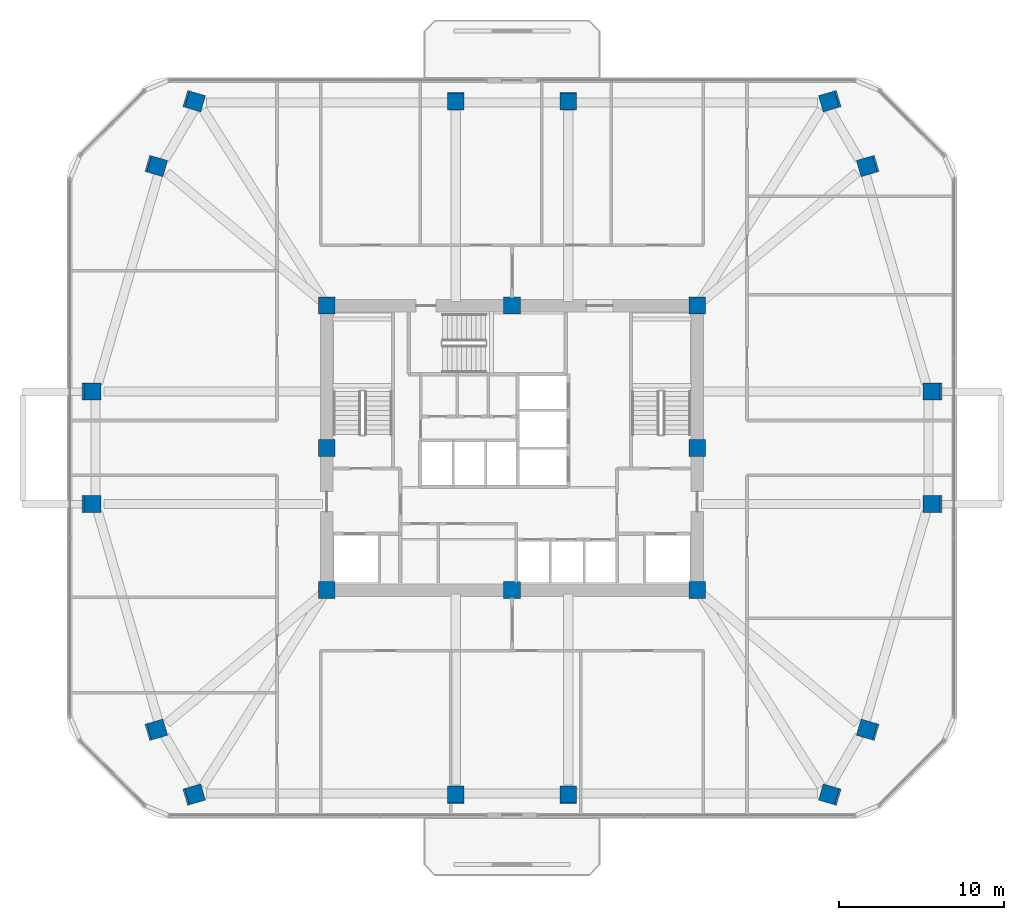
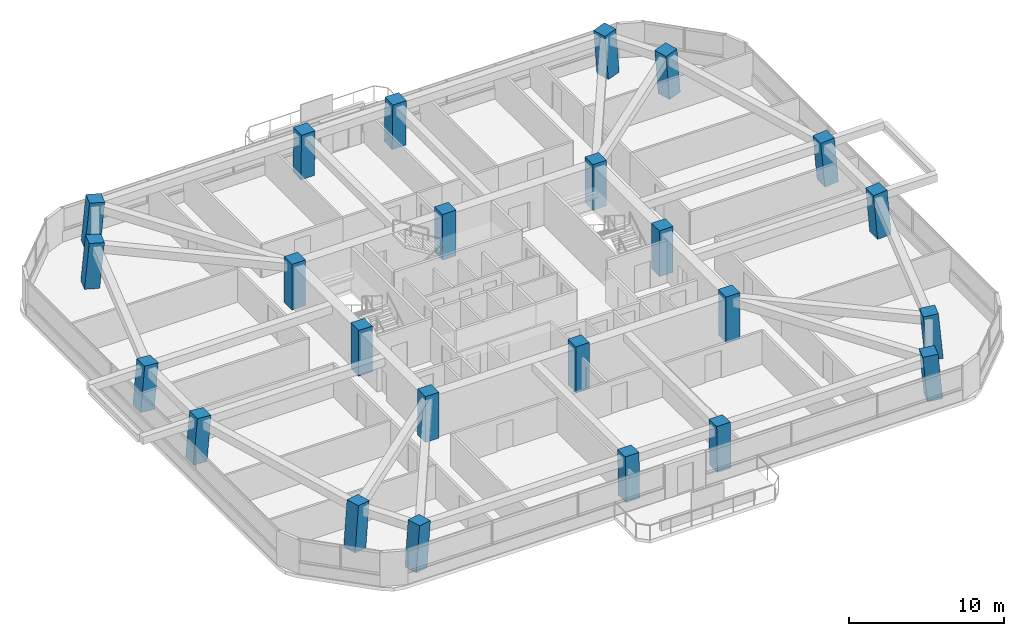
# One storey, part 1 of 13: 24 columns.
"""IFC4 building model written with IfcOpenShell, lengths in metres."""

from ifc_helpers import new_model, si_unit, derived_unit, direction, frame, origin, origin_2d, place, context, subcontext, project, spatial, rectangle, extrude, material, material_profile, profile_set, type_object, element, save


model = new_model("IFC4")

# Units and contexts
model_context = context("Model", 3, precision=1e-05, world=origin(), true_north=direction((0.0, 1.0)))
body_context = subcontext(model_context, "Body", "Model", "MODEL_VIEW")
ifc_project = project(units=[si_unit("LENGTHUNIT", "METRE"), si_unit("AREAUNIT", "SQUARE_METRE"), si_unit("VOLUMEUNIT", "CUBIC_METRE"), si_unit("PLANEANGLEUNIT", "RADIAN"), si_unit("MASSUNIT", "GRAM", prefix="KILO"), derived_unit("THERMALTRANSMITTANCEUNIT", [(si_unit("POWERUNIT", "WATT"), 1), (si_unit("LENGTHUNIT", "METRE"), -2), (si_unit("THERMODYNAMICTEMPERATUREUNIT", "KELVIN"), -1)])], contexts=[model_context])

# Site, building, storey
site_placement = place(None, origin())
site = spatial("IfcSite", under=ifc_project, at=site_placement, CompositionType="ELEMENT")
building_placement = place(site_placement, origin())
building = spatial("IfcBuilding", under=site, at=building_placement, Name="Koralith Skygarden Medical Center", CompositionType="ELEMENT")
storey_placement = place(building_placement, frame((0.0, 0.0, 88.3798828125)))
storey = spatial("IfcBuildingStorey", under=building, at=storey_placement, Name="L22", CompositionType="ELEMENT", Elevation=88.3798828125)

# Columns
ifc_material = material(Name="Concrete C70/85", Category="concrete")
ifc_material_profile_1 = material_profile(ifc_material, rectangle(XDim=1.02001953125, YDim=1.02001953125, at=origin_2d()), Name="RC1020X1020")
ifc_profile_set_1 = profile_set([ifc_material_profile_1], Name="Concrete C70/85")
column_type_1 = type_object("IfcColumnType", Name="Core Mega-Column C70 RC1020", PredefinedType="COLUMN", material=ifc_profile_set_1)
for number, where, z_axis, x_axis, name in (
    (1, (25.800048828125, 17.300048828125, 0.0), (0.0, 0.0, 1.0), (1.0, 0.0, 0.0), "L22 Core Column CC-01"),
    (2, (37.0, 17.300048828125, 0.0), (0.0, 0.0, 1.0), (1.0, 0.0, 0.0), "L22 Core Column CC-02"),
    (3, (48.199951171875, 17.300048828125, 0.0), (0.0, 0.0, 1.0), (1.0, 0.0, 0.0), "L22 Core Column CC-03"),
    (4, (48.199951171875, 25.89990234375, 0.0), (0.0, 0.0, 1.0), (1.0, 0.0, 0.0), "L22 Core Column CC-04"),
    (5, (48.199951171875, 34.5, 0.0), (0.0, 0.0, 1.0), (1.0, 0.0, 0.0), "L22 Core Column CC-05"),
    (6, (37.0, 34.5, 0.0), (0.0, 0.0, 1.0), (1.0, 0.0, 0.0), "L22 Core Column CC-06"),
    (7, (25.800048828125, 34.5, 0.0), (0.0, 0.0, 1.0), (1.0, 0.0, 0.0), "L22 Core Column CC-07"),
    (8, (25.800048828125, 25.89990234375, 0.0), (0.0, 0.0, 1.0), (1.0, 0.0, 0.0), "L22 Core Column CC-08"),
):
    element("IfcColumn", number, at=place(storey_placement, frame(where, z_axis=z_axis, x_axis=x_axis)), inside=storey, type_object=column_type_1, Name=name, PredefinedType="COLUMN", context=body_context, shape_type="SweptSolid", body=[
        extrude(rectangle(XDim=1.02001953125, YDim=1.02001953125, at=origin_2d()), origin(), (0.0, 0.0, 1.0), 3.60009765625),
    ])
ifc_material_profile_2 = material_profile(ifc_material, rectangle(XDim=1.02001953125, YDim=1.02001953125, at=origin_2d()), Name="RC1020X1020")
ifc_profile_set_2 = profile_set([ifc_material_profile_2], Name="Concrete C70/85")
column_type_2 = type_object("IfcColumnType", Name="Zone 2 Waist-In Mega-Column C70 RC1020", PredefinedType="COLUMN", material=ifc_profile_set_2)
column_1_placement = place(storey_placement, frame((11.52001953125, 22.5, 0.02099609375), z_axis=(0.084573087246, 0.0, 0.99641727851), x_axis=(0.0, 1.0, 0.0)))
element("IfcColumn", 9, at=column_1_placement, inside=storey, type_object=column_type_2, Name="L22 Perimeter Mega-Column MC-01", PredefinedType="COLUMN", context=body_context, shape_type="SweptSolid", body=[
    extrude(rectangle(XDim=1.02001953125, YDim=1.02001953125, at=origin_2d()), origin(), (0.0, 0.0, 1.0), 3.57080078125),
])
for number, where, z_axis, x_axis, name in (
    (10, (15.43994140625, 8.840087890625, 0.02099609375), (0.084818339457, 0.02487822366, 0.996085801163), (-0.281454582132, 0.95957455062, 0.0), "L22 Perimeter Mega-Column MC-02"),
    (11, (17.73193359375, 4.919921875, 0.02099609375), (0.084547339264, 0.024673879931, 0.996113922738), (-0.280148995539, 0.959956530421, 0.0), "L22 Perimeter Mega-Column MC-03"),
):
    element("IfcColumn", number, at=place(storey_placement, frame(where, z_axis=z_axis, x_axis=x_axis)), inside=storey, type_object=column_type_2, Name=name, PredefinedType="COLUMN", context=body_context, shape_type="SweptSolid", body=[
        extrude(rectangle(XDim=1.02001953125, YDim=1.02001953125, at=origin_2d()), origin(), (0.0, 0.0, 1.0), 3.572021484375),
    ])
for number, where, z_axis, x_axis, name in (
    (12, (33.60009765625, 4.919921875, 0.02099609375), (0.0, 0.024762543118, 0.999693361215), (-1.0, 0.0, 0.0), "L22 Perimeter Mega-Column MC-04"),
    (13, (40.39990234375, 4.919921875, 0.02099609375), (0.0, 0.024762543118, 0.999693361215), (-1.0, 0.0, 0.0), "L22 Perimeter Mega-Column MC-05"),
):
    element("IfcColumn", number, at=place(storey_placement, frame(where, z_axis=z_axis, x_axis=x_axis)), inside=storey, type_object=column_type_2, Name=name, PredefinedType="COLUMN", context=body_context, shape_type="SweptSolid", body=[
        extrude(rectangle(XDim=1.02001953125, YDim=1.02001953125, at=origin_2d()), origin(), (0.0, 0.0, 1.0), 3.55908203125),
    ])
for number, where, z_axis, x_axis, name in (
    (14, (56.26806640625, 4.919921875, 0.02099609375), (-0.084547339264, 0.024673879931, 0.996113922738), (-0.280148995539, -0.959956530421, 0.0), "L22 Perimeter Mega-Column MC-06"),
    (15, (58.56005859375, 8.840087890625, 0.02099609375), (-0.084818339457, 0.02487822366, 0.996085801163), (-0.281454582132, -0.95957455062, 0.0), "L22 Perimeter Mega-Column MC-07"),
):
    element("IfcColumn", number, at=place(storey_placement, frame(where, z_axis=z_axis, x_axis=x_axis)), inside=storey, type_object=column_type_2, Name=name, PredefinedType="COLUMN", context=body_context, shape_type="SweptSolid", body=[
        extrude(rectangle(XDim=1.02001953125, YDim=1.02001953125, at=origin_2d()), origin(), (0.0, 0.0, 1.0), 3.572021484375),
    ])
for number, where, z_axis, x_axis, name in (
    (16, (62.47998046875, 22.5, 0.02099609375), (-0.084573087246, 0.0, 0.99641727851), (0.0, -1.0, 0.0), "L22 Perimeter Mega-Column MC-08"),
    (17, (62.47998046875, 29.300048828125, 0.02099609375), (-0.084573087246, 0.0, 0.99641727851), (0.0, -1.0, 0.0), "L22 Perimeter Mega-Column MC-09"),
):
    element("IfcColumn", number, at=place(storey_placement, frame(where, z_axis=z_axis, x_axis=x_axis)), inside=storey, type_object=column_type_2, Name=name, PredefinedType="COLUMN", context=body_context, shape_type="SweptSolid", body=[
        extrude(rectangle(XDim=1.02001953125, YDim=1.02001953125, at=origin_2d()), origin(), (0.0, 0.0, 1.0), 3.57080078125),
    ])
for number, where, z_axis, x_axis, name in (
    (18, (58.56005859375, 42.9599609375, 0.02099609375), (-0.084818339457, -0.02487822366, 0.996085801163), (0.281454582132, -0.95957455062, 0.0), "L22 Perimeter Mega-Column MC-10"),
    (19, (56.26806640625, 46.8798828125, 0.02099609375), (-0.084546909741, -0.024878799633, 0.996108862214), (0.282292283154, -0.959328445774, 0.0), "L22 Perimeter Mega-Column MC-11"),
):
    element("IfcColumn", number, at=place(storey_placement, frame(where, z_axis=z_axis, x_axis=x_axis)), inside=storey, type_object=column_type_2, Name=name, PredefinedType="COLUMN", context=body_context, shape_type="SweptSolid", body=[
        extrude(rectangle(XDim=1.02001953125, YDim=1.02001953125, at=origin_2d()), origin(), (0.0, 0.0, 1.0), 3.572021484375),
    ])
for number, where, z_axis, x_axis, name in (
    (20, (40.39990234375, 46.8798828125, 0.02099609375), (0.0, -0.024968198266, 0.999688245942), (1.0, 0.0, 0.0), "L22 Perimeter Mega-Column MC-12"),
    (21, (33.60009765625, 46.8798828125, 0.02099609375), (0.0, -0.024968198266, 0.999688245942), (1.0, 0.0, 0.0), "L22 Perimeter Mega-Column MC-13"),
):
    element("IfcColumn", number, at=place(storey_placement, frame(where, z_axis=z_axis, x_axis=x_axis)), inside=storey, type_object=column_type_2, Name=name, PredefinedType="COLUMN", context=body_context, shape_type="SweptSolid", body=[
        extrude(rectangle(XDim=1.02001953125, YDim=1.02001953125, at=origin_2d()), origin(), (0.0, 0.0, 1.0), 3.559326171875),
    ])
for number, where, z_axis, x_axis, name in (
    (22, (17.73193359375, 46.8798828125, 0.02099609375), (0.084546909741, -0.024878799633, 0.996108862214), (0.282292283154, 0.959328445774, 0.0), "L22 Perimeter Mega-Column MC-14"),
    (23, (15.43994140625, 42.9599609375, 0.02099609375), (0.084818339457, -0.02487822366, 0.996085801163), (0.281454582132, 0.95957455062, 0.0), "L22 Perimeter Mega-Column MC-15"),
):
    element("IfcColumn", number, at=place(storey_placement, frame(where, z_axis=z_axis, x_axis=x_axis)), inside=storey, type_object=column_type_2, Name=name, PredefinedType="COLUMN", context=body_context, shape_type="SweptSolid", body=[
        extrude(rectangle(XDim=1.02001953125, YDim=1.02001953125, at=origin_2d()), origin(), (0.0, 0.0, 1.0), 3.572021484375),
    ])
column_2_placement = place(storey_placement, frame((11.52001953125, 29.300048828125, 0.02099609375), z_axis=(0.084573087246, 0.0, 0.99641727851), x_axis=(0.0, 1.0, 0.0)))
element("IfcColumn", 24, at=column_2_placement, inside=storey, type_object=column_type_2, Name="L22 Perimeter Mega-Column MC-16", PredefinedType="COLUMN", context=body_context, shape_type="SweptSolid", body=[
    extrude(rectangle(XDim=1.02001953125, YDim=1.02001953125, at=origin_2d()), origin(), (0.0, 0.0, 1.0), 3.57080078125),
])

save(model, "model.ifc")
